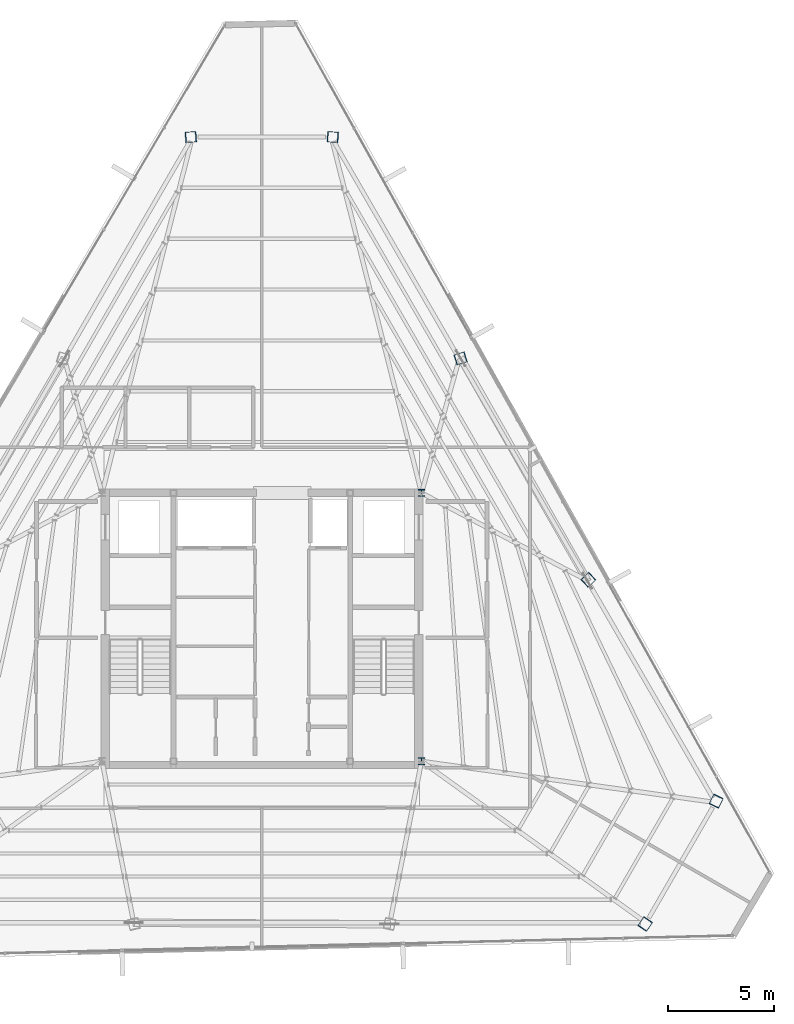
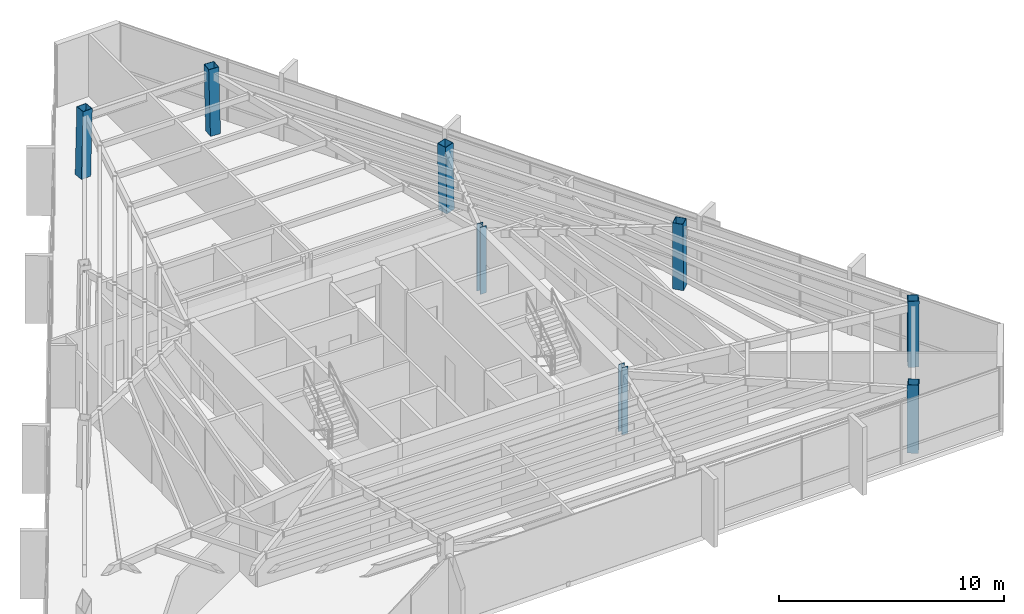
# One storey, part 2 of 48: 8 columns.
"""IFC4 building model written with IfcOpenShell, lengths in metres."""

from ifc_helpers import new_model, si_unit, direction, frame, origin, origin_2d, place, context, subcontext, project, spatial, hollow_rectangle, i_section, extrude, source, transform, mapped, material, material_profile, profile_set, type_object, type_shapes, element, save


model = new_model("IFC4")

# Units and contexts
model_context = context("Model", 3, precision=1e-05, world=origin(), true_north=direction((0.0, 1.0)))
body_context = subcontext(model_context, "Body", "Model", "MODEL_VIEW")
ifc_project = project(units=[si_unit("LENGTHUNIT", "METRE"), si_unit("AREAUNIT", "SQUARE_METRE"), si_unit("VOLUMEUNIT", "CUBIC_METRE"), si_unit("PLANEANGLEUNIT", "RADIAN"), si_unit("MASSUNIT", "GRAM", prefix="KILO")], contexts=[model_context])

# Site, building, storey
site_placement = place(None, origin())
site = spatial("IfcSite", under=ifc_project, at=site_placement, CompositionType="ELEMENT")
building_placement = place(site_placement, origin())
building = spatial("IfcBuilding", under=site, at=building_placement, Name="Caelisora Broadcast Tower", CompositionType="ELEMENT")
storey_placement = place(building_placement, frame((0.0, 0.0, 277.300048828125)))
storey = spatial("IfcBuildingStorey", under=building, at=storey_placement, Name="L73", CompositionType="ELEMENT", Elevation=277.300048828125)

# Columns
ifc_material_1 = material(Name="Steel Grade 350 (AS/NZS 3679.1)", Category="steel")
ifc_material_profile_1 = material_profile(ifc_material_1, i_section(OverallWidth=0.31103515625, OverallDepth=0.3271484375, WebThickness=0.015625, FlangeThickness=0.02490234375, at=origin_2d()), Name="Steel Grade 350 (AS/NZS 3679.1)")
ifc_profile_set_1 = profile_set([ifc_material_profile_1], Name="Steel Grade 350 (AS/NZS 3679.1)")
column_type_1 = type_object("IfcColumnType", Name="CC03", PredefinedType="COLUMN", material=ifc_profile_set_1)
shared_shape_1 = source(origin(), body_context, "Body", "SweptSolid", [
    extrude(i_section(OverallWidth=0.31103515625, OverallDepth=0.3271484375, WebThickness=0.015625, FlangeThickness=0.02490234375, at=origin_2d()), origin(), (0.0, 0.0, 1.0), 3.64990234375),
])
type_shapes(column_type_1, [shared_shape_1])
for number, where, z_axis, x_axis, name in (
    (1, (45.5, 17.39990234375, 0.0), (0.0, 0.0, 1.0), (1.0, 0.0, 0.0), "L73 column CC03"),
    (2, (45.5, 30.0, 0.0), (0.0, 0.0, 1.0), (1.0, 0.0, 0.0), "L73 column CC03"),
):
    element("IfcColumn", number, at=place(storey_placement, frame(where, z_axis=z_axis, x_axis=x_axis)), inside=storey, type_object=column_type_1, Name=name, PredefinedType="COLUMN", context=body_context, shape_type="MappedRepresentation", body=[
        mapped(shared_shape_1, transform((0.0, 0.0, 0.0), scale=1.0)),
    ])
ifc_material_2 = material(Name="Steel Grade 350 L15 (AS/NZS 3678)", Category="steel")
ifc_material_profile_2 = material_profile(ifc_material_2, hollow_rectangle(XDim=0.5, YDim=0.5, WallThickness=0.02001953125, at=origin_2d()), Name="Steel Grade 350 L15 (AS/NZS 3678)")
ifc_profile_set_2 = profile_set([ifc_material_profile_2], Name="Steel Grade 350 L15 (AS/NZS 3678)")
column_type_2 = type_object("IfcColumnType", Name="MC07", PredefinedType="COLUMN", material=ifc_profile_set_2)
shared_shape_2 = source(origin(), body_context, "Body", "SweptSolid", [
    extrude(hollow_rectangle(XDim=0.5, YDim=0.5, WallThickness=0.02001953125, at=origin_2d()), origin(), (0.0, 0.0, 1.0), 3.65087890625),
])
for number, where, z_axis, x_axis, name in (
    (3, (41.3466796875, 46.71142578125, 0.0), (-0.023872754168, 0.001805502416, 0.999713374808), (-0.075414875552, -0.997152243414, 0.0), "L73 column MC07"),
    (4, (34.6533203125, 46.71142578125, 0.0), (0.023872754168, 0.001805502416, 0.999713374808), (-0.075414875552, 0.997152243414, 0.0), "L73 column MC07"),
    (5, (55.995361328125, 9.745849609375, 0.0), (0.013440967269, 0.019793663242, 0.999713734673), (-0.827290216258, 0.561774775229, 0.0), "L73 column MC07"),
    (6, (59.342041015625, 15.54248046875, 0.0), (-0.010431795422, -0.021532295679, 0.999713727968), (0.899947055326, -0.435999194506, 0.0), "L73 column MC07"),
):
    element("IfcColumn", number, at=place(storey_placement, frame(where, z_axis=z_axis, x_axis=x_axis)), inside=storey, type_object=column_type_2, Name=name, PredefinedType="COLUMN", context=body_context, shape_type="MappedRepresentation", body=[
        mapped(shared_shape_2, transform((0.0, 0.0, 0.0), scale=1.0)),
    ])
shared_shape_3 = source(origin(), body_context, "Body", "SweptSolid", [
    extrude(hollow_rectangle(XDim=0.5, YDim=0.5, WallThickness=0.02001953125, at=origin_2d()), origin(), (0.0, 0.0, 1.0), 3.650634765625),
])
type_shapes(column_type_2, [shared_shape_2, shared_shape_3])
for number, where, z_axis, x_axis, name in (
    (7, (53.343505859375, 25.93212890625, 0.0), (-0.014846452328, -0.013776437746, 0.99979487527), (0.68019775991, -0.733028653883, 0.0), "L73 column MC07"),
    (8, (47.34521484375, 36.322021484375, 0.0), (-0.019393985636, -0.006085698941, 0.999793397452), (0.299398805134, -0.954128060317, 0.0), "L73 column MC07"),
):
    element("IfcColumn", number, at=place(storey_placement, frame(where, z_axis=z_axis, x_axis=x_axis)), inside=storey, type_object=column_type_2, Name=name, PredefinedType="COLUMN", context=body_context, shape_type="MappedRepresentation", body=[
        mapped(shared_shape_3, transform((0.0, 0.0, 0.0), scale=1.0)),
    ])

save(model, "model.ifc")
